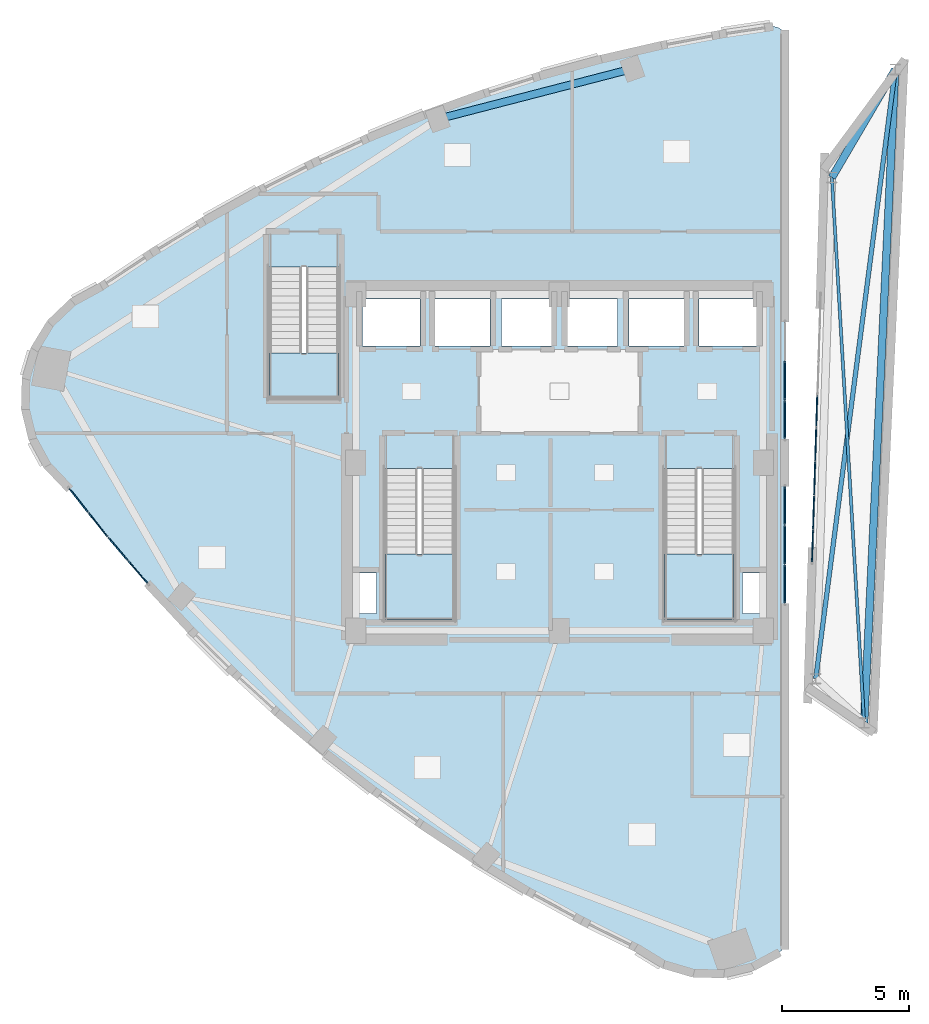
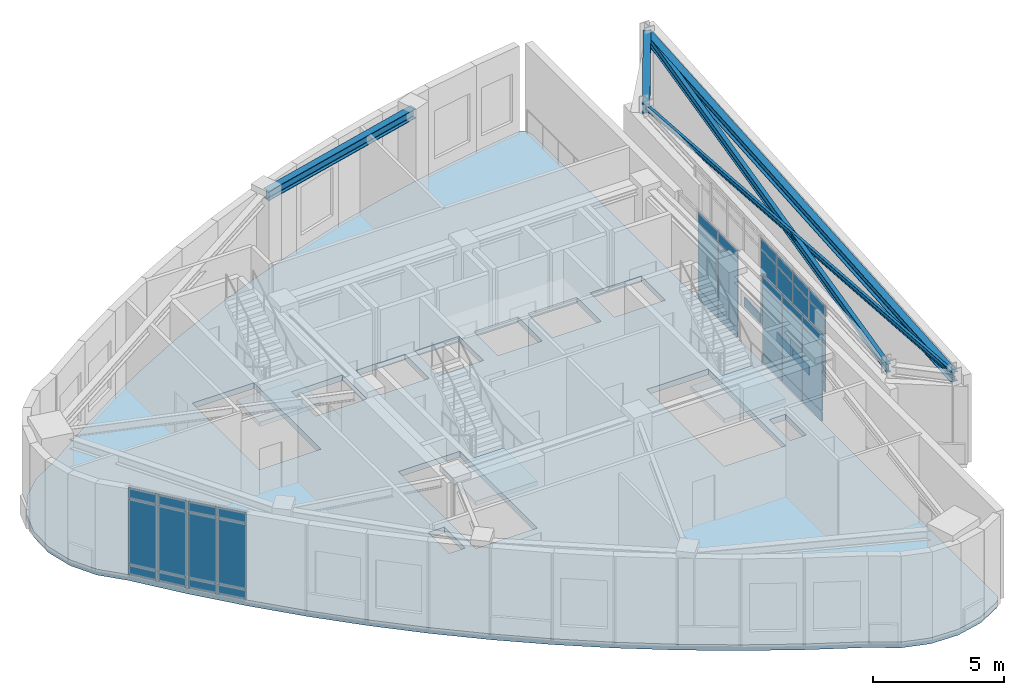
# One storey, part 12 of 19: 40 plates, 5 beams, 4 slabs, 8 elements without a shape of their own.
"""IFC4 building model written with IfcOpenShell, lengths in metres."""

from ifc_helpers import new_model, si_unit, direction, frame, origin, origin_2d, place, context, subcontext, project, spatial, polyline, rectangle, i_section, outline, extrude, material, layer, layer_set, material_profile, profile_set, type_object, element, aggregate, save


model = new_model("IFC4")

# Units and contexts
model_context = context("Model", 3, precision=1e-05, world=origin(), true_north=direction((0.0, 1.0)))
body_context = subcontext(model_context, "Body", "Model", "MODEL_VIEW")
ifc_project = project(units=[si_unit("LENGTHUNIT", "METRE"), si_unit("AREAUNIT", "SQUARE_METRE"), si_unit("VOLUMEUNIT", "CUBIC_METRE"), si_unit("PLANEANGLEUNIT", "RADIAN"), si_unit("MASSUNIT", "GRAM", prefix="KILO")], contexts=[model_context])

# Site, building, storey
site_placement = place(None, origin())
site = spatial("IfcSite", under=ifc_project, at=site_placement, CompositionType="ELEMENT")
building_placement = place(site_placement, origin())
building = spatial("IfcBuilding", under=site, at=building_placement, Name="Ndelora Gate Hotel", CompositionType="ELEMENT")
storey_placement = place(building_placement, frame((0.0, 0.0, 286.0)))
storey = spatial("IfcBuildingStorey", under=building, at=storey_placement, Name="L71", CompositionType="ELEMENT", Elevation=286.0)

# Beams
ifc_material_1 = material(Name="Steel S355", Category="steel")
ifc_material_profile_1 = material_profile(ifc_material_1, i_section(OverallWidth=0.1201171875, OverallDepth=0.239990234375, WebThickness=0.006103515625, FlangeThickness=0.009765625, FilletRadius=0.014892578125, at=origin_2d()), Name="IPE 240")
ifc_profile_set_1 = profile_set([ifc_material_profile_1], Name="Steel S355")
beam_type_1 = type_object("IfcBeamType", Name="BM-CRN-240", PredefinedType="SPANDREL", material=ifc_profile_set_1)
beam_1_placement = place(storey_placement, frame((11.956787109375, -10.212158203125, 4.0), z_axis=(-0.058984351472, 0.998258907439, 0.0), x_axis=(-0.998258907439, -0.058984351472, 0.0)))
element("IfcBeam", 1, at=beam_1_placement, inside=storey, type_object=beam_type_1, Name="L71 structural beam KB-1", PredefinedType="SPANDREL", context=body_context, shape_type="SweptSolid", body=[
    extrude(i_section(OverallWidth=0.1201171875, OverallDepth=0.239990234375, WebThickness=0.006103515625, FlangeThickness=0.009765625, FilletRadius=0.014892578125, at=origin_2d()), origin(), (0.0, 0.0, 1.0), 21.4404296875),
])
ifc_material_profile_2 = material_profile(ifc_material_1, i_section(OverallWidth=0.179931640625, OverallDepth=0.39990234375, WebThickness=0.008544921875, FlangeThickness=0.013427734375, FilletRadius=0.02099609375, at=origin_2d()), Name="IPE 400")
ifc_profile_set_2 = profile_set([ifc_material_profile_2], Name="Steel S355")
beam_type_2 = type_object("IfcBeamType", Name="BM-RAD-400", PredefinedType="BEAM", material=ifc_profile_set_2)
beam_2_placement = place(storey_placement, frame((10.0576171875, -8.478271484375, 3.919921875), z_axis=(0.129384639667, 0.991594481135, 0.0), x_axis=(-0.991594481135, 0.129384639667, 0.0)))
element("IfcBeam", 2, at=beam_2_placement, inside=storey, type_object=beam_type_2, Name="L71 structural beam FB-5", PredefinedType="BEAM", context=body_context, shape_type="SweptSolid", body=[
    extrude(i_section(OverallWidth=0.179931640625, OverallDepth=0.39990234375, WebThickness=0.008544921875, FlangeThickness=0.013427734375, FilletRadius=0.02099609375, at=origin_2d()), origin(), (0.0, 0.0, 1.0), 24.109375),
])
ifc_material_profile_3 = material_profile(ifc_material_1, i_section(OverallWidth=0.300048828125, OverallDepth=0.449951171875, WebThickness=0.013916015625, FlangeThickness=0.02587890625, FilletRadius=0.027099609375, at=origin_2d()), Name="HEB 450")
ifc_profile_set_3 = profile_set([ifc_material_profile_3], Name="Steel S355")
beam_type_3 = type_object("IfcBeamType", Name="BM-RING-450", PredefinedType="SPANDREL", material=ifc_profile_set_3)
beam_3_placement = place(storey_placement, frame((2.865478515625, 15.461181640625, 3.905029296875), z_axis=(-0.968064499617, -0.250701265615, 0.0), x_axis=(0.250701265615, -0.968064499617, 0.0)))
element("IfcBeam", 3, at=beam_3_placement, inside=storey, type_object=beam_type_3, Name="L71 structural beam RB-5", PredefinedType="SPANDREL", context=body_context, shape_type="SweptSolid", body=[
    extrude(i_section(OverallWidth=0.300048828125, OverallDepth=0.449951171875, WebThickness=0.013916015625, FlangeThickness=0.02587890625, FilletRadius=0.027099609375, at=origin_2d()), origin(), (0.0, 0.0, 1.0), 7.891845703125),
])
beam_4_placement = place(storey_placement, frame((11.956787109375, -10.212158203125, 3.89501953125), z_axis=(0.047535325718, 0.998869557454, 0.0), x_axis=(-0.998869557454, 0.047535325718, 0.0)))
element("IfcBeam", 4, at=beam_4_placement, inside=storey, type_object=beam_type_3, Name="L71 structural beam RB-5", PredefinedType="SPANDREL", context=body_context, shape_type="SweptSolid", body=[
    extrude(i_section(OverallWidth=0.300048828125, OverallDepth=0.449951171875, WebThickness=0.013916015625, FlangeThickness=0.02587890625, FilletRadius=0.027099609375, at=origin_2d()), origin(), (0.0, 0.0, 1.0), 25.669677734375),
])
beam_5_placement = place(storey_placement, frame((13.177001953125, 15.428466796875, 3.89501953125), z_axis=(-0.505838113207, -0.862628427092, 0.0), x_axis=(0.862628427092, -0.505838113207, 0.0)))
element("IfcBeam", 5, at=beam_5_placement, inside=storey, type_object=beam_type_3, Name="L71 structural beam RB-5", PredefinedType="SPANDREL", context=body_context, shape_type="SweptSolid", body=[
    extrude(i_section(OverallWidth=0.300048828125, OverallDepth=0.449951171875, WebThickness=0.013916015625, FlangeThickness=0.02587890625, FilletRadius=0.027099609375, at=origin_2d()), origin(), (0.0, 0.0, 1.0), 4.912353515625),
])

# Curtain wall, plates
ifc_material_2 = material(Name="Bronze Anodised Unitised Aluminium and Low-E Glass", Category="aluminium")
ifc_layer_1 = layer(ifc_material_2, 0.199951171875)
ifc_layer_set_1 = layer_set([ifc_layer_1], Name="Bronze Anodised Unitised Aluminium and Low-E Glass")
curtain_wall_type_1 = type_object("IfcCurtainWallType", Name="CW-SYS-8", PredefinedType="NOTDEFINED", material=ifc_layer_set_1)
curtain_wall_1_placement = place(storey_placement, origin())
curtain_wall_1 = element("IfcCurtainWall", 6, at=curtain_wall_1_placement, inside=storey, type_object=curtain_wall_type_1, Name="L71 Split-Crown West Cleft Lantern Curtain Wall CW8-1", PredefinedType="NOTDEFINED")
ifc_material_3 = material(Name="Solar-Control Low-E Insulated Glazing", Category="glass")
ifc_layer_2 = layer(ifc_material_3, 0.048095703125)
ifc_layer_set_2 = layer_set([ifc_layer_2], Name="Solar-Control Low-E Insulated Glazing")
plate_type = type_object("IfcPlateType", Name="PL-CW-GLZ36", PredefinedType="CURTAIN_PANEL", material=ifc_layer_set_2)
plate_1_placement = place(storey_placement, frame((8.85009765625, -4.760009765625, 0.0537109375), z_axis=(0.0, 0.0, 1.0), x_axis=(0.0, 1.0, 0.0)))
plate_1 = element("IfcPlate", 7, at=plate_1_placement, type_object=plate_type, Name="CW8 panel 1.1", PredefinedType="CURTAIN_PANEL", context=body_context, shape_type="SweptSolid", body=[
    extrude(rectangle(XDim=1.471923828125, YDim=0.048095703125, at=origin_2d()), origin(), (0.0, 0.0, 1.0), 0.422119140625),
])
plate_2_placement = place(storey_placement, frame((8.85009765625, -4.760009765625, 0.52392578125), z_axis=(0.0, 0.0, 1.0), x_axis=(0.0, 1.0, 0.0)))
plate_2 = element("IfcPlate", 8, at=plate_2_placement, type_object=plate_type, Name="CW8 panel 1.2", PredefinedType="CURTAIN_PANEL", context=body_context, shape_type="SweptSolid", body=[
    extrude(rectangle(XDim=1.471923828125, YDim=0.048095703125, at=origin_2d()), origin(), (0.0, 0.0, 1.0), 3.031982421875),
])
plate_3_placement = place(storey_placement, frame((8.85009765625, -4.760009765625, 3.60400390625), z_axis=(0.0, 0.0, 1.0), x_axis=(0.0, 1.0, 0.0)))
plate_3 = element("IfcPlate", 9, at=plate_3_placement, type_object=plate_type, Name="CW8 panel 1.3", PredefinedType="CURTAIN_PANEL", context=body_context, shape_type="SweptSolid", body=[
    extrude(rectangle(XDim=1.471923828125, YDim=0.048095703125, at=origin_2d()), origin(), (0.0, 0.0, 1.0), 0.471923828125),
])
plate_4_placement = place(storey_placement, frame((8.85009765625, -3.22509765625, 0.0537109375), z_axis=(0.0, 0.0, 1.0), x_axis=(0.0, 1.0, 0.0)))
plate_4 = element("IfcPlate", 10, at=plate_4_placement, type_object=plate_type, Name="CW8 panel 2.1", PredefinedType="CURTAIN_PANEL", context=body_context, shape_type="SweptSolid", body=[
    extrude(rectangle(XDim=1.501953125, YDim=0.048095703125, at=origin_2d()), origin(), (0.0, 0.0, 1.0), 0.422119140625),
])
plate_5_placement = place(storey_placement, frame((8.85009765625, -3.22509765625, 0.52392578125), z_axis=(0.0, 0.0, 1.0), x_axis=(0.0, 1.0, 0.0)))
plate_5 = element("IfcPlate", 11, at=plate_5_placement, type_object=plate_type, Name="CW8 panel 2.2", PredefinedType="CURTAIN_PANEL", context=body_context, shape_type="SweptSolid", body=[
    extrude(rectangle(XDim=1.501953125, YDim=0.048095703125, at=origin_2d()), origin(), (0.0, 0.0, 1.0), 3.031982421875),
])
plate_6_placement = place(storey_placement, frame((8.85009765625, -3.22509765625, 3.60400390625), z_axis=(0.0, 0.0, 1.0), x_axis=(0.0, 1.0, 0.0)))
plate_6 = element("IfcPlate", 12, at=plate_6_placement, type_object=plate_type, Name="CW8 panel 2.3", PredefinedType="CURTAIN_PANEL", context=body_context, shape_type="SweptSolid", body=[
    extrude(rectangle(XDim=1.501953125, YDim=0.048095703125, at=origin_2d()), origin(), (0.0, 0.0, 1.0), 0.471923828125),
])
plate_7_placement = place(storey_placement, frame((8.85009765625, -1.68994140625, 0.0537109375), z_axis=(0.0, 0.0, 1.0), x_axis=(0.0, 1.0, 0.0)))
plate_7 = element("IfcPlate", 13, at=plate_7_placement, type_object=plate_type, Name="CW8 panel 3.1", PredefinedType="CURTAIN_PANEL", context=body_context, shape_type="SweptSolid", body=[
    extrude(rectangle(XDim=1.471923828125, YDim=0.048095703125, at=origin_2d()), origin(), (0.0, 0.0, 1.0), 0.422119140625),
])
plate_8_placement = place(storey_placement, frame((8.85009765625, -1.68994140625, 0.52392578125), z_axis=(0.0, 0.0, 1.0), x_axis=(0.0, 1.0, 0.0)))
plate_8 = element("IfcPlate", 14, at=plate_8_placement, type_object=plate_type, Name="CW8 panel 3.2", PredefinedType="CURTAIN_PANEL", context=body_context, shape_type="SweptSolid", body=[
    extrude(rectangle(XDim=1.471923828125, YDim=0.048095703125, at=origin_2d()), origin(), (0.0, 0.0, 1.0), 3.031982421875),
])
plate_9_placement = place(storey_placement, frame((8.85009765625, -1.68994140625, 3.60400390625), z_axis=(0.0, 0.0, 1.0), x_axis=(0.0, 1.0, 0.0)))
plate_9 = element("IfcPlate", 15, at=plate_9_placement, type_object=plate_type, Name="CW8 panel 3.3", PredefinedType="CURTAIN_PANEL", context=body_context, shape_type="SweptSolid", body=[
    extrude(rectangle(XDim=1.471923828125, YDim=0.048095703125, at=origin_2d()), origin(), (0.0, 0.0, 1.0), 0.471923828125),
])
aggregate(curtain_wall_1, [plate_1, plate_2, plate_3, plate_4, plate_5, plate_6, plate_7, plate_8, plate_9])

curtain_wall_2_placement = place(storey_placement, origin())
curtain_wall_2 = element("IfcCurtainWall", 16, at=curtain_wall_2_placement, inside=storey, type_object=curtain_wall_type_1, Name="L71 Split-Crown West Cleft Lantern Curtain Wall CW8-2", PredefinedType="NOTDEFINED")
plate_10_placement = place(storey_placement, frame((8.85009765625, 1.68994140625, 0.0537109375), z_axis=(0.0, 0.0, 1.0), x_axis=(0.0, 1.0, 0.0)))
plate_10 = element("IfcPlate", 17, at=plate_10_placement, type_object=plate_type, Name="CW8 panel 1.1", PredefinedType="CURTAIN_PANEL", context=body_context, shape_type="SweptSolid", body=[
    extrude(rectangle(XDim=1.471923828125, YDim=0.048095703125, at=origin_2d()), origin(), (0.0, 0.0, 1.0), 0.422119140625),
])
plate_11_placement = place(storey_placement, frame((8.85009765625, 1.68994140625, 0.52392578125), z_axis=(0.0, 0.0, 1.0), x_axis=(0.0, 1.0, 0.0)))
plate_11 = element("IfcPlate", 18, at=plate_11_placement, type_object=plate_type, Name="CW8 panel 1.2", PredefinedType="CURTAIN_PANEL", context=body_context, shape_type="SweptSolid", body=[
    extrude(rectangle(XDim=1.471923828125, YDim=0.048095703125, at=origin_2d()), origin(), (0.0, 0.0, 1.0), 3.031982421875),
])
plate_12_placement = place(storey_placement, frame((8.85009765625, 1.68994140625, 3.60400390625), z_axis=(0.0, 0.0, 1.0), x_axis=(0.0, 1.0, 0.0)))
plate_12 = element("IfcPlate", 19, at=plate_12_placement, type_object=plate_type, Name="CW8 panel 1.3", PredefinedType="CURTAIN_PANEL", context=body_context, shape_type="SweptSolid", body=[
    extrude(rectangle(XDim=1.471923828125, YDim=0.048095703125, at=origin_2d()), origin(), (0.0, 0.0, 1.0), 0.471923828125),
])
plate_13_placement = place(storey_placement, frame((8.85009765625, 3.22509765625, 0.0537109375), z_axis=(0.0, 0.0, 1.0), x_axis=(0.0, 1.0, 0.0)))
plate_13 = element("IfcPlate", 20, at=plate_13_placement, type_object=plate_type, Name="CW8 panel 2.1", PredefinedType="CURTAIN_PANEL", context=body_context, shape_type="SweptSolid", body=[
    extrude(rectangle(XDim=1.501953125, YDim=0.048095703125, at=origin_2d()), origin(), (0.0, 0.0, 1.0), 0.422119140625),
])
plate_14_placement = place(storey_placement, frame((8.85009765625, 3.22509765625, 0.52392578125), z_axis=(0.0, 0.0, 1.0), x_axis=(0.0, 1.0, 0.0)))
plate_14 = element("IfcPlate", 21, at=plate_14_placement, type_object=plate_type, Name="CW8 panel 2.2", PredefinedType="CURTAIN_PANEL", context=body_context, shape_type="SweptSolid", body=[
    extrude(rectangle(XDim=1.501953125, YDim=0.048095703125, at=origin_2d()), origin(), (0.0, 0.0, 1.0), 3.031982421875),
])
plate_15_placement = place(storey_placement, frame((8.85009765625, 3.22509765625, 3.60400390625), z_axis=(0.0, 0.0, 1.0), x_axis=(0.0, 1.0, 0.0)))
plate_15 = element("IfcPlate", 22, at=plate_15_placement, type_object=plate_type, Name="CW8 panel 2.3", PredefinedType="CURTAIN_PANEL", context=body_context, shape_type="SweptSolid", body=[
    extrude(rectangle(XDim=1.501953125, YDim=0.048095703125, at=origin_2d()), origin(), (0.0, 0.0, 1.0), 0.471923828125),
])
aggregate(curtain_wall_2, [plate_10, plate_11, plate_12, plate_13, plate_14, plate_15])

curtain_wall_3_placement = place(storey_placement, origin())
curtain_wall_3 = element("IfcCurtainWall", 23, at=curtain_wall_3_placement, inside=storey, type_object=curtain_wall_type_1, Name="L71 Split-Crown East Cleft Lantern Curtain Wall CW8", PredefinedType="NOTDEFINED")
plate_16_placement = place(storey_placement, frame((10.095458984375, 2.018310546875, 0.0537109375), z_axis=(0.0, 0.0, 1.0), x_axis=(-0.031131345484, -0.999515302198, 0.0)))
plate_16 = element("IfcPlate", 24, at=plate_16_placement, type_object=plate_type, Name="CW8 panel 4.1", PredefinedType="CURTAIN_PANEL", context=body_context, shape_type="SweptSolid", body=[
    extrude(rectangle(XDim=1.276611328125, YDim=0.048095703125, at=origin_2d()), origin(), (0.0, 0.0, 1.0), 0.422119140625),
])
plate_17_placement = place(storey_placement, frame((10.05419921875, 0.6943359375, 0.0537109375), z_axis=(0.0, 0.0, 1.0), x_axis=(-0.031131345484, -0.999515302198, 0.0)))
plate_17 = element("IfcPlate", 25, at=plate_17_placement, type_object=plate_type, Name="CW8 panel 5.1", PredefinedType="CURTAIN_PANEL", context=body_context, shape_type="SweptSolid", body=[
    extrude(rectangle(XDim=1.276611328125, YDim=0.048095703125, at=origin_2d()), origin(), (0.0, 0.0, 1.0), 0.422119140625),
])
plate_18_placement = place(storey_placement, frame((10.05419921875, 0.6943359375, 0.52392578125), z_axis=(0.0, 0.0, 1.0), x_axis=(-0.031131345484, -0.999515302198, 0.0)))
plate_18 = element("IfcPlate", 26, at=plate_18_placement, type_object=plate_type, Name="CW8 panel 5.2", PredefinedType="CURTAIN_PANEL", context=body_context, shape_type="SweptSolid", body=[
    extrude(rectangle(XDim=1.276611328125, YDim=0.048095703125, at=origin_2d()), origin(), (0.0, 0.0, 1.0), 3.031982421875),
])
plate_19_placement = place(storey_placement, frame((10.05419921875, 0.6943359375, 3.60400390625), z_axis=(0.0, 0.0, 1.0), x_axis=(-0.031131345484, -0.999515302198, 0.0)))
plate_19 = element("IfcPlate", 27, at=plate_19_placement, type_object=plate_type, Name="CW8 panel 5.3", PredefinedType="CURTAIN_PANEL", context=body_context, shape_type="SweptSolid", body=[
    extrude(rectangle(XDim=1.276611328125, YDim=0.048095703125, at=origin_2d()), origin(), (0.0, 0.0, 1.0), 0.471923828125),
])
plate_20_placement = place(storey_placement, frame((10.012939453125, -0.629638671875, 0.0537109375), z_axis=(0.0, 0.0, 1.0), x_axis=(-0.031131345484, -0.999515302198, 0.0)))
plate_20 = element("IfcPlate", 28, at=plate_20_placement, type_object=plate_type, Name="CW8 panel 6.1", PredefinedType="CURTAIN_PANEL", context=body_context, shape_type="SweptSolid", body=[
    extrude(rectangle(XDim=1.276611328125, YDim=0.048095703125, at=origin_2d()), origin(), (0.0, 0.0, 1.0), 0.422119140625),
])
plate_21_placement = place(storey_placement, frame((10.012939453125, -0.629638671875, 0.52392578125), z_axis=(0.0, 0.0, 1.0), x_axis=(-0.031131345484, -0.999515302198, 0.0)))
plate_21 = element("IfcPlate", 29, at=plate_21_placement, type_object=plate_type, Name="CW8 panel 6.2", PredefinedType="CURTAIN_PANEL", context=body_context, shape_type="SweptSolid", body=[
    extrude(rectangle(XDim=1.276611328125, YDim=0.048095703125, at=origin_2d()), origin(), (0.0, 0.0, 1.0), 3.031982421875),
])
plate_22_placement = place(storey_placement, frame((10.012939453125, -0.629638671875, 3.60400390625), z_axis=(0.0, 0.0, 1.0), x_axis=(-0.031131345484, -0.999515302198, 0.0)))
plate_22 = element("IfcPlate", 30, at=plate_22_placement, type_object=plate_type, Name="CW8 panel 6.3", PredefinedType="CURTAIN_PANEL", context=body_context, shape_type="SweptSolid", body=[
    extrude(rectangle(XDim=1.276611328125, YDim=0.048095703125, at=origin_2d()), origin(), (0.0, 0.0, 1.0), 0.471923828125),
])
plate_23_placement = place(storey_placement, frame((9.9716796875, -1.95361328125, 0.0537109375), z_axis=(0.0, 0.0, 1.0), x_axis=(-0.031131345484, -0.999515302198, 0.0)))
plate_23 = element("IfcPlate", 31, at=plate_23_placement, type_object=plate_type, Name="CW8 panel 7.1", PredefinedType="CURTAIN_PANEL", context=body_context, shape_type="SweptSolid", body=[
    extrude(rectangle(XDim=1.276611328125, YDim=0.048095703125, at=origin_2d()), origin(), (0.0, 0.0, 1.0), 0.422119140625),
])
plate_24_placement = place(storey_placement, frame((9.9716796875, -1.95361328125, 0.52392578125), z_axis=(0.0, 0.0, 1.0), x_axis=(-0.031131345484, -0.999515302198, 0.0)))
plate_24 = element("IfcPlate", 32, at=plate_24_placement, type_object=plate_type, Name="CW8 panel 7.2", PredefinedType="CURTAIN_PANEL", context=body_context, shape_type="SweptSolid", body=[
    extrude(rectangle(XDim=1.276611328125, YDim=0.048095703125, at=origin_2d()), origin(), (0.0, 0.0, 1.0), 3.031982421875),
])
plate_25_placement = place(storey_placement, frame((9.9716796875, -1.95361328125, 3.60400390625), z_axis=(0.0, 0.0, 1.0), x_axis=(-0.031131345484, -0.999515302198, 0.0)))
plate_25 = element("IfcPlate", 33, at=plate_25_placement, type_object=plate_type, Name="CW8 panel 7.3", PredefinedType="CURTAIN_PANEL", context=body_context, shape_type="SweptSolid", body=[
    extrude(rectangle(XDim=1.276611328125, YDim=0.048095703125, at=origin_2d()), origin(), (0.0, 0.0, 1.0), 0.471923828125),
])
plate_26_placement = place(storey_placement, frame((9.930908203125, -3.2626953125, 0.0537109375), z_axis=(0.0, 0.0, 1.0), x_axis=(-0.031131345484, -0.999515302198, 0.0)))
plate_26 = element("IfcPlate", 34, at=plate_26_placement, type_object=plate_type, Name="CW8 panel 8.1", PredefinedType="CURTAIN_PANEL", context=body_context, shape_type="SweptSolid", body=[
    extrude(rectangle(XDim=1.24658203125, YDim=0.048095703125, at=origin_2d()), origin(), (0.0, 0.0, 1.0), 0.422119140625),
])
plate_27_placement = place(storey_placement, frame((9.930908203125, -3.2626953125, 0.52392578125), z_axis=(0.0, 0.0, 1.0), x_axis=(-0.031131345484, -0.999515302198, 0.0)))
plate_27 = element("IfcPlate", 35, at=plate_27_placement, type_object=plate_type, Name="CW8 panel 8.2", PredefinedType="CURTAIN_PANEL", context=body_context, shape_type="SweptSolid", body=[
    extrude(rectangle(XDim=1.24658203125, YDim=0.048095703125, at=origin_2d()), origin(), (0.0, 0.0, 1.0), 3.031982421875),
])
plate_28_placement = place(storey_placement, frame((9.930908203125, -3.2626953125, 3.60400390625), z_axis=(0.0, 0.0, 1.0), x_axis=(-0.031131345484, -0.999515302198, 0.0)))
plate_28 = element("IfcPlate", 36, at=plate_28_placement, type_object=plate_type, Name="CW8 panel 8.3", PredefinedType="CURTAIN_PANEL", context=body_context, shape_type="SweptSolid", body=[
    extrude(rectangle(XDim=1.24658203125, YDim=0.048095703125, at=origin_2d()), origin(), (0.0, 0.0, 1.0), 0.471923828125),
])
aggregate(curtain_wall_3, [plate_16, plate_17, plate_18, plate_19, plate_20, plate_21, plate_22, plate_23, plate_24, plate_25, plate_26, plate_27, plate_28])

ifc_layer_3 = layer(ifc_material_2, 0.219970703125)
ifc_layer_set_3 = layer_set([ifc_layer_3], Name="Bronze Anodised Unitised Aluminium and Low-E Glass")
curtain_wall_type_2 = type_object("IfcCurtainWallType", Name="CW-SYS-7", PredefinedType="NOTDEFINED", material=ifc_layer_set_3)
curtain_wall_4_placement = place(storey_placement, origin())
curtain_wall_4 = element("IfcCurtainWall", 37, at=curtain_wall_4_placement, inside=storey, type_object=curtain_wall_type_2, Name="L71 West Peak Horizon Observatory Curtain Wall 1", PredefinedType="NOTDEFINED")
plate_29_placement = place(storey_placement, frame((-18.866943359375, -1.484619140625, 0.05908203125), z_axis=(0.0, 0.0, 1.0), x_axis=(0.62162196359, -0.783317390578, 0.0)))
plate_29 = element("IfcPlate", 38, at=plate_29_placement, type_object=plate_type, Name="CW7 panel 1.1", PredefinedType="CURTAIN_PANEL", context=body_context, shape_type="SweptSolid", body=[
    extrude(rectangle(XDim=1.16259765625, YDim=0.048095703125, at=origin_2d()), origin(), (0.0, 0.0, 1.0), 0.41455078125),
])
plate_30_placement = place(storey_placement, frame((-18.866943359375, -1.484619140625, 0.5263671875), z_axis=(0.0, 0.0, 1.0), x_axis=(0.62162196359, -0.783317390578, 0.0)))
plate_30 = element("IfcPlate", 39, at=plate_30_placement, type_object=plate_type, Name="CW7 panel 1.2", PredefinedType="CURTAIN_PANEL", context=body_context, shape_type="SweptSolid", body=[
    extrude(rectangle(XDim=1.16259765625, YDim=0.048095703125, at=origin_2d()), origin(), (0.0, 0.0, 1.0), 3.027099609375),
])
plate_31_placement = place(storey_placement, frame((-18.866943359375, -1.484619140625, 3.6064453125), z_axis=(0.0, 0.0, 1.0), x_axis=(0.62162196359, -0.783317390578, 0.0)))
plate_31 = element("IfcPlate", 40, at=plate_31_placement, type_object=plate_type, Name="CW7 panel 1.3", PredefinedType="CURTAIN_PANEL", context=body_context, shape_type="SweptSolid", body=[
    extrude(rectangle(XDim=1.16259765625, YDim=0.048095703125, at=origin_2d()), origin(), (0.0, 0.0, 1.0), 0.464599609375),
])
plate_32_placement = place(storey_placement, frame((-18.111328125, -2.436767578125, 0.05908203125), z_axis=(0.0, 0.0, 1.0), x_axis=(0.62162196359, -0.783317390578, 0.0)))
plate_32 = element("IfcPlate", 41, at=plate_32_placement, type_object=plate_type, Name="CW7 panel 2.1", PredefinedType="CURTAIN_PANEL", context=body_context, shape_type="SweptSolid", body=[
    extrude(rectangle(XDim=1.16259765625, YDim=0.048095703125, at=origin_2d()), origin(), (0.0, 0.0, 1.0), 0.41455078125),
])
plate_33_placement = place(storey_placement, frame((-18.111328125, -2.436767578125, 0.5263671875), z_axis=(0.0, 0.0, 1.0), x_axis=(0.62162196359, -0.783317390578, 0.0)))
plate_33 = element("IfcPlate", 42, at=plate_33_placement, type_object=plate_type, Name="CW7 panel 2.2", PredefinedType="CURTAIN_PANEL", context=body_context, shape_type="SweptSolid", body=[
    extrude(rectangle(XDim=1.16259765625, YDim=0.048095703125, at=origin_2d()), origin(), (0.0, 0.0, 1.0), 3.027099609375),
])
plate_34_placement = place(storey_placement, frame((-18.111328125, -2.436767578125, 3.6064453125), z_axis=(0.0, 0.0, 1.0), x_axis=(0.62162196359, -0.783317390578, 0.0)))
plate_34 = element("IfcPlate", 43, at=plate_34_placement, type_object=plate_type, Name="CW7 panel 2.3", PredefinedType="CURTAIN_PANEL", context=body_context, shape_type="SweptSolid", body=[
    extrude(rectangle(XDim=1.16259765625, YDim=0.048095703125, at=origin_2d()), origin(), (0.0, 0.0, 1.0), 0.464599609375),
])
aggregate(curtain_wall_4, [plate_29, plate_30, plate_31, plate_32, plate_33, plate_34])

curtain_wall_5_placement = place(storey_placement, origin())
curtain_wall_5 = element("IfcCurtainWall", 44, at=curtain_wall_5_placement, inside=storey, type_object=curtain_wall_type_2, Name="L71 West Peak Horizon Observatory Curtain Wall 2", PredefinedType="NOTDEFINED")
plate_35_placement = place(storey_placement, frame((-17.325927734375, -3.387939453125, 0.05908203125), z_axis=(0.0, 0.0, 1.0), x_axis=(0.651638229475, -0.75852990573, 0.0)))
plate_35 = element("IfcPlate", 45, at=plate_35_placement, type_object=plate_type, Name="CW7 panel 1.1", PredefinedType="CURTAIN_PANEL", context=body_context, shape_type="SweptSolid", body=[
    extrude(rectangle(XDim=1.14892578125, YDim=0.048095703125, at=origin_2d()), origin(), (0.0, 0.0, 1.0), 0.41455078125),
])
plate_36_placement = place(storey_placement, frame((-17.325927734375, -3.387939453125, 0.5263671875), z_axis=(0.0, 0.0, 1.0), x_axis=(0.651638229475, -0.75852990573, 0.0)))
plate_36 = element("IfcPlate", 46, at=plate_36_placement, type_object=plate_type, Name="CW7 panel 1.2", PredefinedType="CURTAIN_PANEL", context=body_context, shape_type="SweptSolid", body=[
    extrude(rectangle(XDim=1.14892578125, YDim=0.048095703125, at=origin_2d()), origin(), (0.0, 0.0, 1.0), 3.027099609375),
])
plate_37_placement = place(storey_placement, frame((-17.325927734375, -3.387939453125, 3.6064453125), z_axis=(0.0, 0.0, 1.0), x_axis=(0.651638229475, -0.75852990573, 0.0)))
plate_37 = element("IfcPlate", 47, at=plate_37_placement, type_object=plate_type, Name="CW7 panel 1.3", PredefinedType="CURTAIN_PANEL", context=body_context, shape_type="SweptSolid", body=[
    extrude(rectangle(XDim=1.14892578125, YDim=0.048095703125, at=origin_2d()), origin(), (0.0, 0.0, 1.0), 0.464599609375),
])
plate_38_placement = place(storey_placement, frame((-16.542724609375, -4.2998046875, 0.05908203125), z_axis=(0.0, 0.0, 1.0), x_axis=(0.651638229475, -0.75852990573, 0.0)))
plate_38 = element("IfcPlate", 48, at=plate_38_placement, type_object=plate_type, Name="CW7 panel 2.1", PredefinedType="CURTAIN_PANEL", context=body_context, shape_type="SweptSolid", body=[
    extrude(rectangle(XDim=1.14892578125, YDim=0.048095703125, at=origin_2d()), origin(), (0.0, 0.0, 1.0), 0.41455078125),
])
plate_39_placement = place(storey_placement, frame((-16.542724609375, -4.2998046875, 0.5263671875), z_axis=(0.0, 0.0, 1.0), x_axis=(0.651638229475, -0.75852990573, 0.0)))
plate_39 = element("IfcPlate", 49, at=plate_39_placement, type_object=plate_type, Name="CW7 panel 2.2", PredefinedType="CURTAIN_PANEL", context=body_context, shape_type="SweptSolid", body=[
    extrude(rectangle(XDim=1.14892578125, YDim=0.048095703125, at=origin_2d()), origin(), (0.0, 0.0, 1.0), 3.027099609375),
])
plate_40_placement = place(storey_placement, frame((-16.542724609375, -4.2998046875, 3.6064453125), z_axis=(0.0, 0.0, 1.0), x_axis=(0.651638229475, -0.75852990573, 0.0)))
plate_40 = element("IfcPlate", 50, at=plate_40_placement, type_object=plate_type, Name="CW7 panel 2.3", PredefinedType="CURTAIN_PANEL", context=body_context, shape_type="SweptSolid", body=[
    extrude(rectangle(XDim=1.14892578125, YDim=0.048095703125, at=origin_2d()), origin(), (0.0, 0.0, 1.0), 0.464599609375),
])
aggregate(curtain_wall_5, [plate_35, plate_36, plate_37, plate_38, plate_39, plate_40])

# Stair, slab
ifc_material_4 = material(Name="Precast concrete C40/50", Category="concrete")
stair_type = type_object("IfcStairType", Name="STR-DOG-CORE", PredefinedType="HALF_TURN_STAIR", material=ifc_material_4)
stair_1_placement = place(storey_placement, origin())
stair_1 = element("IfcStair", 51, at=stair_1_placement, inside=storey, type_object=stair_type, Name="L71 Protected Core Exit Stair ST4", PredefinedType="HALF_TURN_STAIR")
ifc_layer_4 = layer(ifc_material_4, 0.219970703125)
ifc_layer_set_4 = layer_set([ifc_layer_4], Name="Precast concrete C40/50")
slab_type_1 = type_object("IfcSlabType", Name="SL-LAND-220", PredefinedType="LANDING", material=ifc_layer_set_4)
slab_1_placement = place(storey_placement, frame((0.0, 0.0, 2.0)))
slab_1 = element("IfcSlab", 52, at=slab_1_placement, type_object=slab_type_1, Name="ST4 landing 1", PredefinedType="LANDING", context=body_context, shape_type="SweptSolid", body=[
    extrude(outline(polyline([(-6.85009765625, -3.590087890625), (-6.85009765625, -6.14990234375), (-4.1298828125, -6.14990234375), (-4.1298828125, -3.590087890625), (-6.85009765625, -3.590087890625)])), origin(), (0.0, 0.0, 1.0), 0.199951171875),
])
aggregate(stair_1, [slab_1])

stair_2_placement = place(storey_placement, origin())
stair_2 = element("IfcStair", 53, at=stair_2_placement, inside=storey, type_object=stair_type, Name="L71 Protected Core Exit Stair ST5", PredefinedType="HALF_TURN_STAIR")
slab_2_placement = place(storey_placement, frame((0.0, 0.0, 2.0)))
slab_2 = element("IfcSlab", 54, at=slab_2_placement, type_object=slab_type_1, Name="ST5 landing 1", PredefinedType="LANDING", context=body_context, shape_type="SweptSolid", body=[
    extrude(outline(polyline([(4.1298828125, -3.590087890625), (4.1298828125, -6.14990234375), (6.85009765625, -6.14990234375), (6.85009765625, -3.590087890625), (4.1298828125, -3.590087890625)])), origin(), (0.0, 0.0, 1.0), 0.199951171875),
])
aggregate(stair_2, [slab_2])

stair_3_placement = place(storey_placement, origin())
stair_3 = element("IfcStair", 55, at=stair_3_placement, inside=storey, type_object=stair_type, Name="L71 Crown Observation Exit Stair ST6", PredefinedType="HALF_TURN_STAIR")
slab_3_placement = place(storey_placement, frame((0.0, 0.0, 2.0)))
slab_3 = element("IfcSlab", 56, at=slab_3_placement, type_object=slab_type_1, Name="ST6 landing 1", PredefinedType="LANDING", context=body_context, shape_type="SweptSolid", body=[
    extrude(outline(polyline([(-11.389892578125, 4.31005859375), (-11.389892578125, 2.550048828125), (-8.669921875, 2.550048828125), (-8.669921875, 4.31005859375), (-11.389892578125, 4.31005859375)])), origin(), (0.0, 0.0, 1.0), 0.199951171875),
])
aggregate(stair_3, [slab_3])

# Slab
ifc_material_5 = material(Name="Concrete C40/50", Category="concrete")
ifc_layer_5 = layer(ifc_material_5, 0.27001953125)
ifc_layer_set_5 = layer_set([ifc_layer_5], Name="Concrete C40/50")
slab_type_2 = type_object("IfcSlabType", Name="SL-OBS-270", PredefinedType="FLOOR", material=ifc_layer_set_5)
slab_4_placement = place(storey_placement, frame((0.0, 0.0, -0.27001953125)))
element("IfcSlab", 57, at=slab_4_placement, inside=storey, type_object=slab_type_2, Name="L71 Structural Floor Slab", PredefinedType="FLOOR", context=body_context, shape_type="SweptSolid", body=[
    extrude(outline(polyline([(-18.02685546875, 6.884033203125), (-19.079833984375, 6.310302734375), (-19.14111328125, 6.26171875), (-19.94921875, 5.4921875), (-19.99609375, 5.42919921875), (-20.57763671875, 4.476806640625), (-20.606201171875, 4.40380859375), (-20.921630859375, 3.33349609375), (-20.930419921875, 3.255615234375), (-20.9580078125, 2.14013671875), (-20.9462890625, 2.0625), (-20.68408203125, 0.977783203125), (-20.653076171875, 0.906005859375), (-20.118896484375, -0.073974609375), (-20.0703125, -0.13525390625), (-19.25244140625, -0.998779296875), (-17.7255859375, -2.922607421875), (-16.142822265625, -4.764892578125), (-14.499267578125, -6.53173828125), (-12.794921875, -8.22314453125), (-11.029541015625, -9.839111328125), (-9.203369140625, -11.3798828125), (-7.31640625, -12.84521484375), (-5.3681640625, -14.235107421875), (-3.359130859375, -15.550048828125), (-1.2890625, -16.789794921875), (0.842041015625, -17.9541015625), (3.051513671875, -19.0537109375), (4.074951171875, -19.6787109375), (4.14794921875, -19.70751953125), (5.21826171875, -20.022705078125), (5.296142578125, -20.03173828125), (6.41162109375, -20.05908203125), (6.4892578125, -20.047607421875), (7.573974609375, -19.785400390625), (7.645751953125, -19.754150390625), (8.592041015625, -19.240234375), (8.657470703125, -19.197021484375), (8.709716796875, -19.149658203125), (8.769287109375, -19.08056640625), (8.8134765625, -19.0009765625), (8.8408203125, -18.9140625), (8.85009765625, -18.8232421875), (8.84765625, 16.70947265625), (8.82958984375, 16.798583984375), (8.793701171875, 16.8818359375), (8.741943359375, 16.95654296875), (8.676513671875, 17.019287109375), (8.599609375, 17.0673828125), (8.514404296875, 17.099365234375), (8.4248046875, 17.11328125), (8.333984375, 17.109375), (6.331787109375, 16.812255859375), (3.94482421875, 16.362548828125), (1.593017578125, 15.82275390625), (-0.723876953125, 15.192138671875), (-3.006103515625, 14.471435546875), (-5.25341796875, 13.66015625), (-7.466064453125, 12.7587890625), (-9.64404296875, 11.7666015625), (-11.787109375, 10.68408203125), (-13.895751953125, 9.51123046875), (-15.9697265625, 8.247802734375), (-18.02685546875, 6.884033203125)]), holes=[polyline([(-6.85009765625, -0.22998046875), (-6.85009765625, -6.14990234375), (-4.1298828125, -6.14990234375), (-4.1298828125, -0.22998046875), (-6.85009765625, -0.22998046875)]), polyline([(4.1298828125, -0.22998046875), (4.1298828125, -6.14990234375), (6.85009765625, -6.14990234375), (6.85009765625, -0.22998046875), (4.1298828125, -0.22998046875)]), polyline([(-11.389892578125, 7.669921875), (-11.389892578125, 2.550048828125), (-8.669921875, 2.550048828125), (-8.669921875, 7.669921875), (-11.389892578125, 7.669921875)]), polyline([(-7.72998046875, 4.570068359375), (-5.469970703125, 4.570068359375), (-5.469970703125, 6.429931640625), (-7.72998046875, 6.429931640625), (-7.72998046875, 4.570068359375)]), polyline([(5.469970703125, 4.570068359375), (7.72998046875, 4.570068359375), (7.72998046875, 6.429931640625), (5.469970703125, 6.429931640625), (5.469970703125, 4.570068359375)]), polyline([(-4.8798828125, 4.570068359375), (-2.719970703125, 4.570068359375), (-2.719970703125, 6.429931640625), (-4.8798828125, 6.429931640625), (-4.8798828125, 4.570068359375)]), polyline([(2.719970703125, 4.570068359375), (4.8798828125, 4.570068359375), (4.8798828125, 6.429931640625), (2.719970703125, 6.429931640625), (2.719970703125, 4.570068359375)]), polyline([(-2.280029296875, 4.570068359375), (-0.320068359375, 4.570068359375), (-0.320068359375, 6.429931640625), (-2.280029296875, 6.429931640625), (-2.280029296875, 4.570068359375)]), polyline([(0.320068359375, 4.570068359375), (2.280029296875, 4.570068359375), (2.280029296875, 6.429931640625), (0.320068359375, 6.429931640625), (0.320068359375, 4.570068359375)]), polyline([(-7.89990234375, -5.919921875), (-7.179931640625, -5.919921875), (-7.179931640625, -4.320068359375), (-7.89990234375, -4.320068359375), (-7.89990234375, -5.919921875)]), polyline([(7.179931640625, -5.919921875), (7.89990234375, -5.919921875), (7.89990234375, -4.320068359375), (7.179931640625, -4.320068359375), (7.179931640625, -5.919921875)])]), origin(), (0.0, 0.0, 1.0), 0.27001953125),
])

save(model, "model.ifc")
